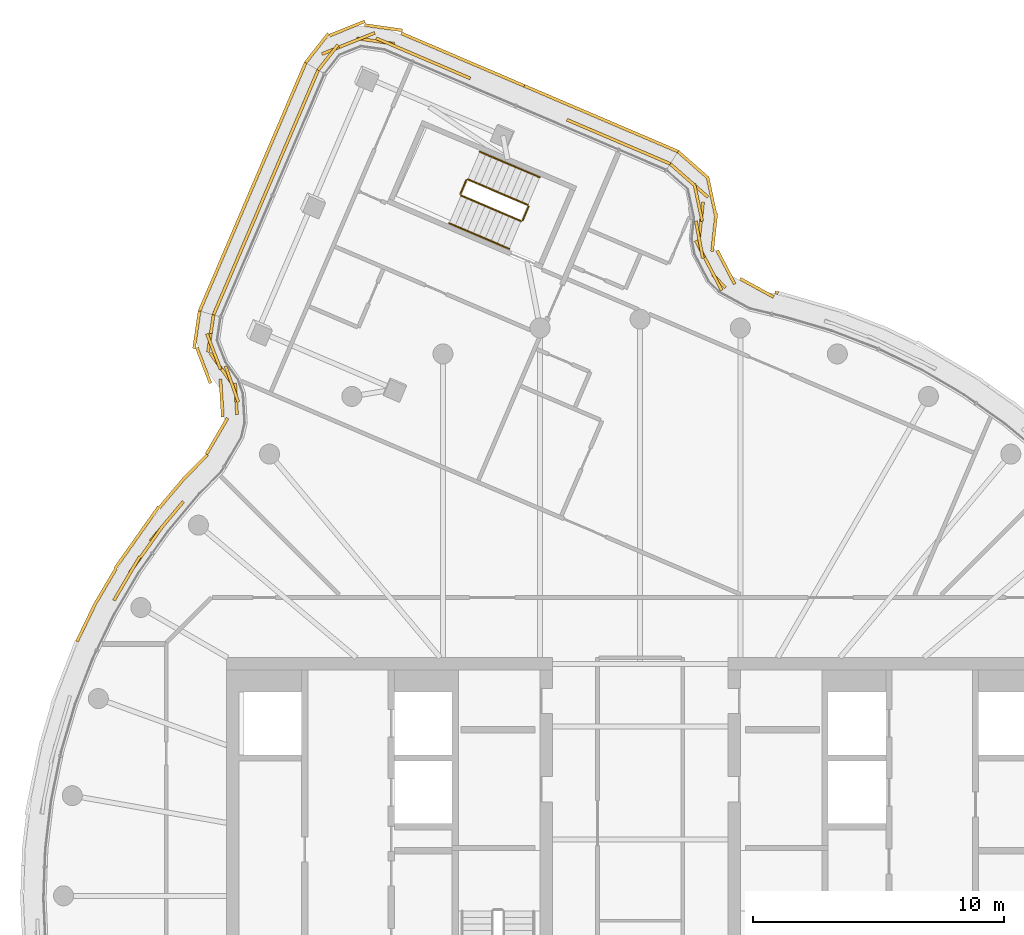
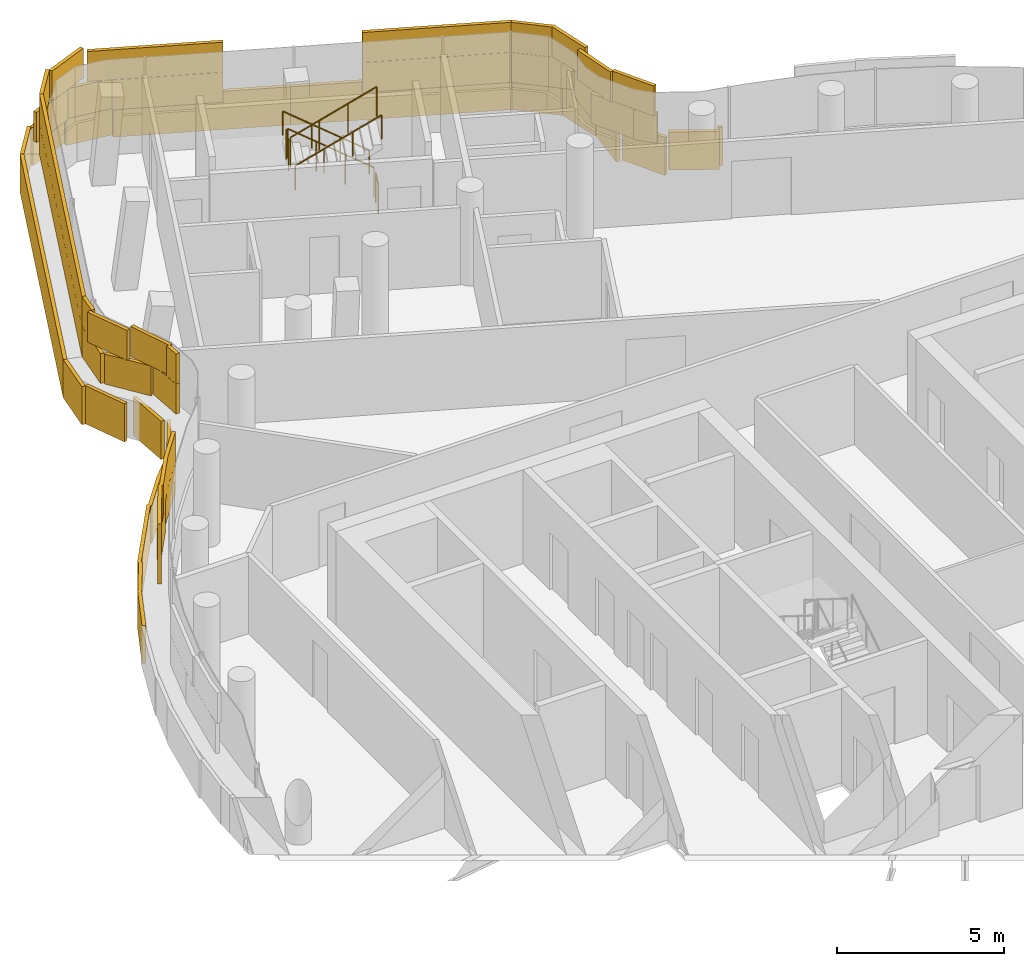
# One storey, part 18 of 20: 6 coverings, 6 railings.
"""IFC4 building model written with IfcOpenShell, lengths in metres."""

import ifcopenshell
import ifcopenshell.guid

model = None  # the IFC model being written
_history = None  # IfcOwnerHistory: only IFC2X3 demands one
_inside = {}  # id of a spatial element -> (the spatial element, [elements in it])
_under = {}  # id of a project, library or spatial element -> (it, [spatial elements below it])
_declared = {}  # id of a project -> (the project, [libraries it declares])
_typed = {}  # id of a type object -> (the type object, [elements of that type])
_made_of = {}  # id of a material, layer set ... -> (it, [elements and type objects made of it])


def new_model(schema):
    """Start an empty IFC model of exactly this schema.

    Asked for "IFC4X3", IfcOpenShell would pick the latest addendum, in which some entities
    have other attributes; the version numbers below select the first issue.
    IFC2X3 requires an IfcOwnerHistory on every rooted entity: one is made here for all.
    """
    global model, _history
    if schema == "IFC4X3":
        model = ifcopenshell.file(schema_version=(4, 3, 0, 0))
    else:
        model = ifcopenshell.file(schema=schema)
    _inside.clear()
    _under.clear()
    _declared.clear()
    _typed.clear()
    _made_of.clear()
    _history = None
    if model.schema == "IFC2X3":
        org = make("IfcOrganization", Name="unknown")
        user = make(
            "IfcPersonAndOrganization",
            ThePerson=make("IfcPerson", FamilyName="unknown"),
            TheOrganization=org,
        )
        app = make(
            "IfcApplication",
            ApplicationDeveloper=org,
            Version="unknown",
            ApplicationFullName="unknown",
            ApplicationIdentifier="unknown",
        )
        _history = make(
            "IfcOwnerHistory",
            OwningUser=user,
            OwningApplication=app,
            ChangeAction="ADDED",
            CreationDate=0,
        )
    return model


def make(cls, **values):
    """One entity of the class cls with the attributes given. An attribute that is None is left unset."""
    return model.create_entity(
        cls, **{name: value for name, value in values.items() if value is not None}
    )


def rooted(cls, **values):
    """An entity with a GlobalId (a new one), such as an element, a storey or a relation."""
    return make(cls, GlobalId=ifcopenshell.guid.new(), OwnerHistory=_history, **values)


def si_unit(unit_type, name, prefix=None):
    """IfcSIUnit, for example si_unit("LENGTHUNIT", "METRE", prefix="MILLI")."""
    return make("IfcSIUnit", UnitType=unit_type, Prefix=prefix, Name=name)


def assignment(units):
    """IfcUnitAssignment: the units of a project."""
    return None if units is None else make("IfcUnitAssignment", Units=units)


def point(xyz):
    """IfcCartesianPoint."""
    return None if xyz is None else make("IfcCartesianPoint", Coordinates=xyz)


def direction(xyz):
    """IfcDirection."""
    return None if xyz is None else make("IfcDirection", DirectionRatios=xyz)


def frame(location, z_axis=None, x_axis=None):
    """IfcAxis2Placement3D, a coordinate frame: its origin and axes. An axis left out is left unset."""
    return make(
        "IfcAxis2Placement3D",
        Location=point(location),
        Axis=direction(z_axis),
        RefDirection=direction(x_axis),
    )


def frame_2d(location, x_axis=None):
    """IfcAxis2Placement2D, a coordinate frame in the plane: its origin and x axis."""
    return make(
        "IfcAxis2Placement2D", Location=point(location), RefDirection=direction(x_axis)
    )


def origin():
    """The frame at (0, 0, 0) with its axes left unset."""
    return frame((0.0, 0.0, 0.0))


def origin_2d():
    """The frame at (0, 0) in the plane with its x axis left unset."""
    return frame_2d((0.0, 0.0))


def place(relative_to, where):
    """IfcLocalPlacement: puts the frame where relative to a parent placement (None: the world)."""
    return make(
        "IfcLocalPlacement", PlacementRelTo=relative_to, RelativePlacement=where
    )


def context(
    kind, dimensions, precision=None, world=None, true_north=None, identifier=None
):
    """IfcGeometricRepresentationContext, for example the 3D "Model" context."""
    return make(
        "IfcGeometricRepresentationContext",
        ContextIdentifier=identifier,
        ContextType=kind,
        CoordinateSpaceDimension=dimensions,
        Precision=precision,
        WorldCoordinateSystem=world,
        TrueNorth=true_north,
    )


def subcontext(parent, identifier, kind, view, scale=None):
    """IfcGeometricRepresentationSubContext, for example "Body" below "Model"."""
    return make(
        "IfcGeometricRepresentationSubContext",
        ContextIdentifier=identifier,
        ContextType=kind,
        ParentContext=parent,
        TargetScale=scale,
        TargetView=view,
    )


def project(units=None, contexts=None):
    """IfcProject with its units and contexts."""
    return rooted(
        "IfcProject",
        Name="project",
        RepresentationContexts=contexts,
        UnitsInContext=assignment(units),
    )


def spatial(cls, under=None, at=None, **own):
    """A site, building, storey or space (cls), placed at a placement, below another one or the project."""
    s = rooted(cls, ObjectPlacement=at, **own)
    if under is not None:
        _under.setdefault(under.id(), (under, []))[1].append(s)
    return s


def profile(cls, at=None, kind="AREA", **sizes):
    """A parametric profile (cls). Its sizes go by their IFC names, for example OverallWidth=200.0."""
    return make(cls, ProfileType=kind, Position=at, **sizes)


def rectangle(**sizes):
    """IfcRectangleProfileDef."""
    return profile("IfcRectangleProfileDef", **sizes)


def circle(**sizes):
    """IfcCircleProfileDef."""
    return profile("IfcCircleProfileDef", **sizes)


def extrude(swept, where, along, depth):
    """IfcExtrudedAreaSolid: the profile swept, set in the frame where, extruded along a direction by depth."""
    return make(
        "IfcExtrudedAreaSolid",
        SweptArea=swept,
        Position=where,
        ExtrudedDirection=direction(along),
        Depth=depth,
    )


def shape(context_of_items, identifier, shape_type, items):
    """IfcShapeRepresentation: the items that make up one representation, for example the "Body"."""
    return make(
        "IfcShapeRepresentation",
        ContextOfItems=context_of_items,
        RepresentationIdentifier=identifier,
        RepresentationType=shape_type,
        Items=items,
    )


def material(Name=None, Category=None):
    """IfcMaterial."""
    return make("IfcMaterial", Name=Name, Category=Category)


def layer(
    of_material, thickness, ventilated=None, Name=None, Category=None, Priority=None
):
    """IfcMaterialLayer: one layer of a wall or slab, of a material (None: an air gap)."""
    return make(
        "IfcMaterialLayer",
        Material=of_material,
        LayerThickness=thickness,
        IsVentilated=ventilated,
        Name=Name,
        Category=Category,
        Priority=Priority,
    )


def layer_set(layers, Name=None):
    """IfcMaterialLayerSet."""
    return make("IfcMaterialLayerSet", MaterialLayers=layers, LayerSetName=Name)


def made_of(thing, what):
    """Note that an element or type object is made of a material, layer set ...; save() writes the relation."""
    if what is not None:
        _made_of.setdefault(what.id(), (what, []))[1].append(thing)
    return thing


def type_object(cls, material=None, **own):
    """A type object (cls), such as IfcWallType, which elements share."""
    return made_of(rooted(cls, **own), material)


def element(
    cls,
    number,
    at=None,
    inside=None,
    cuts=None,
    type_object=None,
    material=None,
    context=None,
    identifier="Body",
    shape_type=None,
    held_by="IfcProductDefinitionShape",
    body=None,
    shapes=None,
    **own,
):
    """One element of the class cls, such as IfcWall. Its Tag is "e" and its number.

    at: its placement. inside: the storey or other place that contains it. cuts: it is an
    opening in that element (IfcRelVoidsElement). A single representation is given by context,
    identifier, shape_type and body (its items); several are given by shapes. held_by: the class
    of the entity that holds the representations. save() writes the other relations.
    """
    e = rooted(cls, Tag="e%d" % number, ObjectPlacement=at, **own)
    if body is not None:
        shapes = [shape(context, identifier, shape_type, body)]
    if shapes is not None:
        e.Representation = make(held_by, Representations=shapes)
    if inside is not None:
        _inside.setdefault(inside.id(), (inside, []))[1].append(e)
    if cuts is not None:
        rooted(
            "IfcRelVoidsElement", RelatingBuildingElement=cuts, RelatedOpeningElement=e
        )
    if type_object is not None:
        _typed.setdefault(type_object.id(), (type_object, []))[1].append(e)
    return made_of(e, material)


def aggregate(whole, parts):
    """IfcRelAggregates: a whole, such as a stair, and the parts it consists of."""
    return rooted("IfcRelAggregates", RelatingObject=whole, RelatedObjects=parts)


def save(model, path):
    """Write the relations noted so far, then the file.

    IfcRelAggregates (storeys below a building ...), IfcRelContainedInSpatialStructure (elements
    in a storey), IfcRelDefinesByType, IfcRelAssociatesMaterial and IfcRelDeclares: one each for
    every whole, place, type object, material and project.
    """
    for whole, parts in _under.values():
        aggregate(whole, parts)
    for where, things in _inside.values():
        rooted(
            "IfcRelContainedInSpatialStructure",
            RelatedElements=things,
            RelatingStructure=where,
        )
    for kind, things in _typed.values():
        rooted("IfcRelDefinesByType", RelatedObjects=things, RelatingType=kind)
    for what, things in _made_of.values():
        rooted("IfcRelAssociatesMaterial", RelatedObjects=things, RelatingMaterial=what)
    for by, libraries in _declared.values():
        rooted("IfcRelDeclares", RelatingContext=by, RelatedDefinitions=libraries)
    model.write(path)


model = new_model("IFC4")

# Units and contexts
model_context = context("Model", 3, precision=1e-05, world=origin(), true_north=direction((0.0, 1.0)))
body_context = subcontext(model_context, "Body", "Model", "MODEL_VIEW")
ifc_project = project(units=[si_unit("LENGTHUNIT", "METRE"), si_unit("AREAUNIT", "SQUARE_METRE"), si_unit("VOLUMEUNIT", "CUBIC_METRE"), si_unit("PLANEANGLEUNIT", "RADIAN"), si_unit("MASSUNIT", "GRAM", prefix="KILO")], contexts=[model_context])

# Site, building, storey
site_placement = place(None, origin())
site = spatial("IfcSite", under=ifc_project, at=site_placement, CompositionType="ELEMENT")
building_placement = place(site_placement, origin())
building = spatial("IfcBuilding", under=site, at=building_placement, Name="Tamarind Cross Interchange Tower", CompositionType="ELEMENT")
storey_placement = place(building_placement, frame((0.0, 0.0, 274.800048828125)))
storey = spatial("IfcBuildingStorey", under=building, at=storey_placement, Name="L70", CompositionType="ELEMENT", Elevation=274.800048828125)

# Railings
ifc_material_1 = material(Name="Stair guard")
railing_type_1 = type_object("IfcRailingType", Name="Stair guard", PredefinedType="GUARDRAIL", material=ifc_material_1)
railing_1_placement = place(storey_placement, frame((-4.477294921875, 27.5556640625, 0.16357421875)))
element("IfcRailing", 1, at=railing_1_placement, inside=storey, type_object=railing_type_1, Name="L70 ST4 stair guard 1", PredefinedType="GUARDRAIL", context=body_context, shape_type="SweptSolid", body=[
    extrude(circle(Radius=0.02392578125, at=origin_2d()), frame((0.0, 0.0, 1.076171875), z_axis=(-0.778286341023, 0.332484179175, 0.532658091064), x_axis=(-0.392853819215, -0.91960093341, 0.0)), (0.0, 0.0, 1.0), 3.072265625),
    extrude(circle(Radius=0.02099609375, at=origin_2d()), origin(), (0.0, 0.0, 1.0), 1.052001953125),
    extrude(circle(Radius=0.02099609375, at=origin_2d()), frame((-0.797119140625, 0.340576171875, 0.54541015625)), (0.0, 0.0, 1.0), 1.052001953125),
    extrude(circle(Radius=0.02099609375, at=origin_2d()), frame((-1.593994140625, 0.680908203125, 1.091064453125)), (0.0, 0.0, 1.0), 1.052001953125),
    extrude(circle(Radius=0.02099609375, at=origin_2d()), frame((-2.39111328125, 1.021484375, 1.636474609375)), (0.0, 0.0, 1.0), 1.052001953125),
])
railing_2_placement = place(storey_placement, frame((-6.933837890625, 28.55078125, 1.800048828125)))
element("IfcRailing", 2, at=railing_2_placement, inside=storey, type_object=railing_type_1, Name="L70 ST4 stair guard 2", PredefinedType="GUARDRAIL", context=body_context, shape_type="SweptSolid", body=[
    extrude(circle(Radius=0.02392578125, at=origin_2d()), frame((0.0, 0.0, 1.076171875), z_axis=(-0.393035229118, -0.919523413879, 0.0), x_axis=(0.919523413879, -0.393035229118, 0.0)), (0.0, 0.0, 1.0), 0.60009765625),
    extrude(circle(Radius=0.02099609375, at=origin_2d()), origin(), (0.0, 0.0, 1.0), 1.052001953125),
    extrude(circle(Radius=0.02099609375, at=origin_2d()), frame((-0.23583984375, -0.5517578125, 0.0)), (0.0, 0.0, 1.0), 1.052001953125),
])
railing_3_placement = place(storey_placement, frame((-7.143310546875, 27.933349609375, 1.963623046875)))
element("IfcRailing", 3, at=railing_3_placement, inside=storey, type_object=railing_type_1, Name="L70 ST4 stair guard 3", PredefinedType="GUARDRAIL", context=body_context, shape_type="SweptSolid", body=[
    extrude(circle(Radius=0.02392578125, at=origin_2d()), frame((0.0, 0.0, 1.076171875), z_axis=(0.778287952868, -0.332518819034, 0.532634112133), x_axis=(0.392887742958, 0.919586440436, 0.0)), (0.0, 0.0, 1.0), 3.072021484375),
    extrude(circle(Radius=0.02099609375, at=origin_2d()), origin(), (0.0, 0.0, 1.0), 1.052001953125),
    extrude(circle(Radius=0.02099609375, at=origin_2d()), frame((0.796875, -0.340576171875, 0.54541015625)), (0.0, 0.0, 1.0), 1.052001953125),
    extrude(circle(Radius=0.02099609375, at=origin_2d()), frame((1.593994140625, -0.680908203125, 1.0908203125)), (0.0, 0.0, 1.0), 1.052001953125),
    extrude(circle(Radius=0.02099609375, at=origin_2d()), frame((2.390869140625, -1.021484375, 1.63623046875)), (0.0, 0.0, 1.0), 1.052001953125),
])
railing_4_placement = place(storey_placement, frame((-4.450927734375, 27.489990234375, 0.0)))
element("IfcRailing", 4, at=railing_4_placement, inside=storey, type_object=railing_type_1, Name="L70 ST4 stair guard 4", PredefinedType="GUARDRAIL", context=body_context, shape_type="SweptSolid", body=[
    extrude(circle(Radius=0.02392578125, at=origin_2d()), frame((0.0, 0.0, 1.076171875), z_axis=(-0.393035229118, -0.919523413879, 0.0), x_axis=(0.919523413879, -0.393035229118, 0.0)), (0.0, 0.0, 1.0), 0.60009765625),
    extrude(circle(Radius=0.02099609375, at=origin_2d()), origin(), (0.0, 0.0, 1.0), 1.052001953125),
    extrude(circle(Radius=0.02099609375, at=origin_2d()), frame((-0.23583984375, -0.5517578125, 0.0)), (0.0, 0.0, 1.0), 1.052001953125),
])
ifc_material_2 = material(Name="Stair handrail")
railing_type_2 = type_object("IfcRailingType", Name="Stair handrail", PredefinedType="HANDRAIL", material=ifc_material_2)
railing_5_placement = place(storey_placement, frame((-4.005859375, 28.6591796875, 0.16357421875)))
element("IfcRailing", 5, at=railing_5_placement, inside=storey, type_object=railing_type_2, Name="L70 ST4 stair handrail 1", PredefinedType="HANDRAIL", context=body_context, shape_type="SweptSolid", body=[
    extrude(circle(Radius=0.02392578125, at=origin_2d()), frame((0.0, 0.0, 0.8759765625), z_axis=(-0.778286341023, 0.332484179175, 0.532658091064), x_axis=(-0.392853819215, -0.91960093341, 0.0)), (0.0, 0.0, 1.0), 3.072265625),
    extrude(circle(Radius=0.02099609375, at=origin_2d()), origin(), (0.0, 0.0, 1.0), 0.851806640625),
    extrude(circle(Radius=0.02099609375, at=origin_2d()), frame((-0.797119140625, 0.340576171875, 0.54541015625)), (0.0, 0.0, 1.0), 0.851806640625),
    extrude(circle(Radius=0.02099609375, at=origin_2d()), frame((-1.593994140625, 0.680908203125, 1.091064453125)), (0.0, 0.0, 1.0), 0.851806640625),
    extrude(circle(Radius=0.02099609375, at=origin_2d()), frame((-2.39111328125, 1.021484375, 1.636474609375)), (0.0, 0.0, 1.0), 0.851806640625),
])
railing_6_placement = place(storey_placement, frame((-7.61474609375, 26.829833984375, 1.963623046875)))
element("IfcRailing", 6, at=railing_6_placement, inside=storey, type_object=railing_type_2, Name="L70 ST4 stair handrail 2", PredefinedType="HANDRAIL", context=body_context, shape_type="SweptSolid", body=[
    extrude(circle(Radius=0.02392578125, at=origin_2d()), frame((0.0, 0.0, 0.8759765625), z_axis=(0.778287952868, -0.332518819034, 0.532634112133), x_axis=(0.392887742958, 0.919586440436, 0.0)), (0.0, 0.0, 1.0), 3.072021484375),
    extrude(circle(Radius=0.02099609375, at=origin_2d()), origin(), (0.0, 0.0, 1.0), 0.851806640625),
    extrude(circle(Radius=0.02099609375, at=origin_2d()), frame((0.796875, -0.340576171875, 0.54541015625)), (0.0, 0.0, 1.0), 0.851806640625),
    extrude(circle(Radius=0.02099609375, at=origin_2d()), frame((1.593994140625, -0.680908203125, 1.0908203125)), (0.0, 0.0, 1.0), 0.851806640625),
    extrude(circle(Radius=0.02099609375, at=origin_2d()), frame((2.390869140625, -1.021484375, 1.63623046875)), (0.0, 0.0, 1.0), 0.851806640625),
])

# Coverings
ifc_material_3 = material(Name="Terracotta", Category="masonry")
ifc_layer = layer(ifc_material_3, 0.1201171875)
ifc_layer_set = layer_set([ifc_layer], Name="Terracotta")
covering_type = type_object("IfcCoveringType", Name="Terracotta baguette screen unit", PredefinedType="MOLDING", material=ifc_layer_set)
covering_1_placement = place(storey_placement, origin())
element("IfcCovering", 7, at=covering_1_placement, inside=storey, type_object=covering_type, Name="SCR-L70-00-00", PredefinedType="MOLDING", context=body_context, shape_type="SweptSolid", body=[
    extrude(rectangle(XDim=1.510009765625, YDim=0.1201171875, at=origin_2d()), frame((-13.139404296875, 32.247802734375, 1.40380859375), z_axis=(0.0, 0.0, 1.0), x_axis=(-0.392863620655, -0.91959674617, 0.0)), (0.0, 0.0, 1.0), 1.092041015625),
    extrude(rectangle(XDim=1.52001953125, YDim=0.1201171875, at=origin_2d()), frame((-13.728515625, 30.868408203125, 1.40380859375), z_axis=(0.0, 0.0, 1.0), x_axis=(-0.392863620655, -0.91959674617, 0.0)), (0.0, 0.0, 1.0), 1.092041015625),
    extrude(rectangle(XDim=1.52001953125, YDim=0.1201171875, at=origin_2d()), frame((-14.31787109375, 29.489013671875, 1.40380859375), z_axis=(0.0, 0.0, 1.0), x_axis=(-0.392863620655, -0.91959674617, 0.0)), (0.0, 0.0, 1.0), 1.092041015625),
    extrude(rectangle(XDim=1.52001953125, YDim=0.1201171875, at=origin_2d()), frame((-14.9072265625, 28.109619140625, 1.40380859375), z_axis=(0.0, 0.0, 1.0), x_axis=(-0.392863620655, -0.91959674617, 0.0)), (0.0, 0.0, 1.0), 1.092041015625),
    extrude(rectangle(XDim=1.52001953125, YDim=0.1201171875, at=origin_2d()), frame((-15.49658203125, 26.730224609375, 1.40380859375), z_axis=(0.0, 0.0, 1.0), x_axis=(-0.392863620655, -0.91959674617, 0.0)), (0.0, 0.0, 1.0), 1.092041015625),
    extrude(rectangle(XDim=1.52001953125, YDim=0.1201171875, at=origin_2d()), frame((-16.085693359375, 25.350830078125, 1.40380859375), z_axis=(0.0, 0.0, 1.0), x_axis=(-0.392863620655, -0.91959674617, 0.0)), (0.0, 0.0, 1.0), 1.092041015625),
    extrude(rectangle(XDim=1.52001953125, YDim=0.1201171875, at=origin_2d()), frame((-16.675048828125, 23.971435546875, 1.40380859375), z_axis=(0.0, 0.0, 1.0), x_axis=(-0.392863620655, -0.91959674617, 0.0)), (0.0, 0.0, 1.0), 1.092041015625),
    extrude(rectangle(XDim=0.13037109375, YDim=0.1201171875, at=origin_2d()), frame((-16.993408203125, 23.226318359375, 1.40380859375), z_axis=(0.0, 0.0, 1.0), x_axis=(-0.392863620655, -0.91959674617, 0.0)), (0.0, 0.0, 1.0), 1.092041015625),
    extrude(rectangle(XDim=0.760009765625, YDim=0.1201171875, at=origin_2d()), frame((-12.991943359375, 32.592529296875, 2.50390625), z_axis=(0.0, 0.0, 1.0), x_axis=(-0.392863620655, -0.91959674617, 0.0)), (0.0, 0.0, 1.0), 1.092041015625),
    extrude(rectangle(XDim=1.52001953125, YDim=0.1201171875, at=origin_2d()), frame((-13.433837890625, 31.55810546875, 2.50390625), z_axis=(0.0, 0.0, 1.0), x_axis=(-0.392863620655, -0.91959674617, 0.0)), (0.0, 0.0, 1.0), 1.092041015625),
    extrude(rectangle(XDim=1.52001953125, YDim=0.1201171875, at=origin_2d()), frame((-14.023193359375, 30.1787109375, 2.50390625), z_axis=(0.0, 0.0, 1.0), x_axis=(-0.392863620655, -0.91959674617, 0.0)), (0.0, 0.0, 1.0), 1.092041015625),
    extrude(rectangle(XDim=1.52001953125, YDim=0.1201171875, at=origin_2d()), frame((-14.612548828125, 28.79931640625, 2.50390625), z_axis=(0.0, 0.0, 1.0), x_axis=(-0.392863620655, -0.91959674617, 0.0)), (0.0, 0.0, 1.0), 1.092041015625),
    extrude(rectangle(XDim=1.52001953125, YDim=0.1201171875, at=origin_2d()), frame((-15.201904296875, 27.419921875, 2.50390625), z_axis=(0.0, 0.0, 1.0), x_axis=(-0.392863620655, -0.91959674617, 0.0)), (0.0, 0.0, 1.0), 1.092041015625),
    extrude(rectangle(XDim=1.52001953125, YDim=0.1201171875, at=origin_2d()), frame((-15.791015625, 26.04052734375, 2.50390625), z_axis=(0.0, 0.0, 1.0), x_axis=(-0.392863620655, -0.91959674617, 0.0)), (0.0, 0.0, 1.0), 1.092041015625),
    extrude(rectangle(XDim=1.52001953125, YDim=0.1201171875, at=origin_2d()), frame((-16.38037109375, 24.6611328125, 2.50390625), z_axis=(0.0, 0.0, 1.0), x_axis=(-0.392863620655, -0.91959674617, 0.0)), (0.0, 0.0, 1.0), 1.092041015625),
    extrude(rectangle(XDim=0.88037109375, YDim=0.1201171875, at=origin_2d()), frame((-16.845947265625, 23.5712890625, 2.50390625), z_axis=(0.0, 0.0, 1.0), x_axis=(-0.392863620655, -0.91959674617, 0.0)), (0.0, 0.0, 1.0), 1.092041015625),
    extrude(rectangle(XDim=1.510009765625, YDim=0.1201171875, at=origin_2d()), frame((-13.639404296875, 32.5380859375, 0.00390625), z_axis=(0.0, 0.0, 1.0), x_axis=(-0.392863620655, -0.91959674617, 0.0)), (0.0, 0.0, 1.0), 1.39208984375),
    extrude(rectangle(XDim=1.52001953125, YDim=0.1201171875, at=origin_2d()), frame((-14.226806640625, 31.163330078125, 0.00390625), z_axis=(0.0, 0.0, 1.0), x_axis=(-0.392863620655, -0.91959674617, 0.0)), (0.0, 0.0, 1.0), 1.39208984375),
    extrude(rectangle(XDim=1.52001953125, YDim=0.1201171875, at=origin_2d()), frame((-14.816162109375, 29.783935546875, 0.00390625), z_axis=(0.0, 0.0, 1.0), x_axis=(-0.392863620655, -0.91959674617, 0.0)), (0.0, 0.0, 1.0), 1.39208984375),
    extrude(rectangle(XDim=1.52001953125, YDim=0.1201171875, at=origin_2d()), frame((-15.4052734375, 28.404541015625, 0.00390625), z_axis=(0.0, 0.0, 1.0), x_axis=(-0.392863620655, -0.91959674617, 0.0)), (0.0, 0.0, 1.0), 1.39208984375),
    extrude(rectangle(XDim=1.52001953125, YDim=0.1201171875, at=origin_2d()), frame((-15.99462890625, 27.025146484375, 0.00390625), z_axis=(0.0, 0.0, 1.0), x_axis=(-0.392863620655, -0.91959674617, 0.0)), (0.0, 0.0, 1.0), 1.39208984375),
    extrude(rectangle(XDim=1.52001953125, YDim=0.1201171875, at=origin_2d()), frame((-16.583984375, 25.645751953125, 0.00390625), z_axis=(0.0, 0.0, 1.0), x_axis=(-0.392863620655, -0.91959674617, 0.0)), (0.0, 0.0, 1.0), 1.39208984375),
    extrude(rectangle(XDim=1.52001953125, YDim=0.1201171875, at=origin_2d()), frame((-17.17333984375, 24.266357421875, 0.00390625), z_axis=(0.0, 0.0, 1.0), x_axis=(-0.392863620655, -0.91959674617, 0.0)), (0.0, 0.0, 1.0), 1.39208984375),
    extrude(rectangle(XDim=0.280029296875, YDim=0.1201171875, at=origin_2d()), frame((-17.51904296875, 23.45703125, 0.00390625), z_axis=(0.0, 0.0, 1.0), x_axis=(-0.392863620655, -0.91959674617, 0.0)), (0.0, 0.0, 1.0), 1.39208984375),
])
covering_2_placement = place(storey_placement, origin())
element("IfcCovering", 8, at=covering_2_placement, inside=storey, type_object=covering_type, Name="SCR-L70-01-00", PredefinedType="MOLDING", context=body_context, shape_type="SweptSolid", body=[
    extrude(rectangle(XDim=1.510009765625, YDim=0.1201171875, at=origin_2d()), frame((-17.126708984375, 22.42919921875, 1.40380859375), z_axis=(0.0, 0.0, 1.0), x_axis=(-0.146409924633, -0.989224005961, 0.0)), (0.0, 0.0, 1.0), 1.092041015625),
    extrude(rectangle(XDim=1.52001953125, YDim=0.1201171875, at=origin_2d()), frame((-16.7080078125, 21.030029296875, 1.40380859375), z_axis=(0.0, 0.0, 1.0), x_axis=(0.583862432399, -0.811852609796, 0.0)), (0.0, 0.0, 1.0), 1.092041015625),
    extrude(rectangle(XDim=1.256591796875, YDim=0.1201171875, at=origin_2d()), frame((-16.118408203125, 19.81787109375, 1.40380859375), z_axis=(0.0, 0.0, 1.0), x_axis=(0.059891761755, -0.998204877204, 0.0)), (0.0, 0.0, 1.0), 1.092041015625),
    extrude(rectangle(XDim=0.760009765625, YDim=0.1201171875, at=origin_2d()), frame((-17.072021484375, 22.800048828125, 2.50390625), z_axis=(0.0, 0.0, 1.0), x_axis=(-0.146409924633, -0.989224005961, 0.0)), (0.0, 0.0, 1.0), 1.092041015625),
    extrude(rectangle(XDim=1.52001953125, YDim=0.1201171875, at=origin_2d()), frame((-17.010009765625, 21.712158203125, 2.50390625), z_axis=(0.0, 0.0, 1.0), x_axis=(0.358511332978, -0.93352537412, 0.0)), (0.0, 0.0, 1.0), 1.092041015625),
    extrude(rectangle(XDim=1.52001953125, YDim=0.1201171875, at=origin_2d()), frame((-16.28369140625, 20.413818359375, 2.50390625), z_axis=(0.0, 0.0, 1.0), x_axis=(0.335092013496, -0.942185407704, 0.0)), (0.0, 0.0, 1.0), 1.092041015625),
    extrude(rectangle(XDim=0.506591796875, YDim=0.1201171875, at=origin_2d()), frame((-16.095947265625, 19.443359375, 2.50390625), z_axis=(0.0, 0.0, 1.0), x_axis=(0.059891761755, -0.998204877204, 0.0)), (0.0, 0.0, 1.0), 1.092041015625),
    extrude(rectangle(XDim=1.510009765625, YDim=0.1201171875, at=origin_2d()), frame((-17.6845703125, 22.58154296875, 0.00390625), z_axis=(0.0, 0.0, 1.0), x_axis=(-0.146409924633, -0.989224005961, 0.0)), (0.0, 0.0, 1.0), 1.39208984375),
    extrude(rectangle(XDim=1.52001953125, YDim=0.1201171875, at=origin_2d()), frame((-17.41162109375, 21.15673828125, 0.00390625), z_axis=(0.0, 0.0, 1.0), x_axis=(0.358511332978, -0.93352537412, 0.0)), (0.0, 0.0, 1.0), 1.39208984375),
    extrude(rectangle(XDim=1.52001953125, YDim=0.1201171875, at=origin_2d()), frame((-16.69580078125, 19.854736328125, 0.00390625), z_axis=(0.0, 0.0, 1.0), x_axis=(0.059891761755, -0.998204877204, 0.0)), (0.0, 0.0, 1.0), 1.39208984375),
    extrude(rectangle(XDim=1.52001953125, YDim=0.1201171875, at=origin_2d()), frame((-16.841796875, 18.3984375, 0.00390625), z_axis=(0.0, 0.0, 1.0), x_axis=(-0.505040256144, -0.863095788238, 0.0)), (0.0, 0.0, 1.0), 1.39208984375),
    extrude(rectangle(XDim=0.164306640625, YDim=0.1201171875, at=origin_2d()), frame((-17.257080078125, 17.688720703125, 0.00390625), z_axis=(0.0, 0.0, 1.0), x_axis=(-0.505040256144, -0.863095788238, 0.0)), (0.0, 0.0, 1.0), 1.39208984375),
])
covering_3_placement = place(storey_placement, origin())
element("IfcCovering", 9, at=covering_3_placement, inside=storey, type_object=covering_type, Name="SCR-L70-01-01", PredefinedType="MOLDING", context=body_context, shape_type="SweptSolid", body=[
    extrude(rectangle(XDim=0.5634765625, YDim=0.1201171875, at=origin_2d()), frame((-18.400146484375, 15.5107421875, 1.40380859375), z_axis=(0.0, 0.0, 1.0), x_axis=(-0.643009266048, -0.765858396687, 0.0)), (0.0, 0.0, 1.0), 1.092041015625),
    extrude(rectangle(XDim=1.52001953125, YDim=0.1201171875, at=origin_2d()), frame((-19.060302734375, 14.724365234375, 1.40380859375), z_axis=(0.0, 0.0, 1.0), x_axis=(-0.643009266048, -0.765858396687, 0.0)), (0.0, 0.0, 1.0), 1.092041015625),
    extrude(rectangle(XDim=1.52001953125, YDim=0.1201171875, at=origin_2d()), frame((-19.927734375, 13.500732421875, 1.40380859375), z_axis=(0.0, 0.0, 1.0), x_axis=(-0.577568978284, -0.816341886298, 0.0)), (0.0, 0.0, 1.0), 1.092041015625),
    extrude(rectangle(XDim=1.28076171875, YDim=0.1201171875, at=origin_2d()), frame((-20.6669921875, 12.330322265625, 1.40380859375), z_axis=(0.0, 0.0, 1.0), x_axis=(-0.508183308752, -0.861248933065, 0.0)), (0.0, 0.0, 1.0), 1.092041015625),
    extrude(rectangle(XDim=1.3134765625, YDim=0.1201171875, at=origin_2d()), frame((-18.641357421875, 15.223388671875, 2.50390625), z_axis=(0.0, 0.0, 1.0), x_axis=(-0.643009266048, -0.765858396687, 0.0)), (0.0, 0.0, 1.0), 1.092041015625),
    extrude(rectangle(XDim=1.52001953125, YDim=0.1201171875, at=origin_2d()), frame((-19.49462890625, 14.11279296875, 2.50390625), z_axis=(0.0, 0.0, 1.0), x_axis=(-0.577568978284, -0.816341886298, 0.0)), (0.0, 0.0, 1.0), 1.092041015625),
    extrude(rectangle(XDim=1.52001953125, YDim=0.1201171875, at=origin_2d()), frame((-20.34423828125, 12.87744140625, 2.50390625), z_axis=(0.0, 0.0, 1.0), x_axis=(-0.508183308752, -0.861248933065, 0.0)), (0.0, 0.0, 1.0), 1.092041015625),
    extrude(rectangle(XDim=0.53076171875, YDim=0.1201171875, at=origin_2d()), frame((-20.857666015625, 12.00732421875, 2.50390625), z_axis=(0.0, 0.0, 1.0), x_axis=(-0.508183308752, -0.861248933065, 0.0)), (0.0, 0.0, 1.0), 1.092041015625),
    extrude(rectangle(XDim=1.355712890625, YDim=0.1201171875, at=origin_2d()), frame((-17.738037109375, 17.107421875, 0.00390625), z_axis=(0.0, 0.0, 1.0), x_axis=(-0.702180447502, -0.711999030298, 0.0)), (0.0, 0.0, 1.0), 1.39208984375),
    extrude(rectangle(XDim=1.52001953125, YDim=0.1201171875, at=origin_2d()), frame((-18.68994140625, 16.05810546875, 0.00390625), z_axis=(0.0, 0.0, 1.0), x_axis=(-0.643009266048, -0.765858396687, 0.0)), (0.0, 0.0, 1.0), 1.39208984375),
    extrude(rectangle(XDim=1.52001953125, YDim=0.1201171875, at=origin_2d()), frame((-19.641357421875, 14.899169921875, 0.00390625), z_axis=(0.0, 0.0, 1.0), x_axis=(-0.577568978284, -0.816341886298, 0.0)), (0.0, 0.0, 1.0), 1.39208984375),
    extrude(rectangle(XDim=1.52001953125, YDim=0.1201171875, at=origin_2d()), frame((-20.5078125, 13.6748046875, 0.00390625), z_axis=(0.0, 0.0, 1.0), x_axis=(-0.577568978284, -0.816341886298, 0.0)), (0.0, 0.0, 1.0), 1.39208984375),
    extrude(rectangle(XDim=1.52001953125, YDim=0.1201171875, at=origin_2d()), frame((-21.29345703125, 12.39794921875, 0.00390625), z_axis=(0.0, 0.0, 1.0), x_axis=(-0.508183308752, -0.861248933065, 0.0)), (0.0, 0.0, 1.0), 1.39208984375),
    extrude(rectangle(XDim=1.52001953125, YDim=0.1201171875, at=origin_2d()), frame((-22.01025390625, 11.081787109375, 0.00390625), z_axis=(0.0, 0.0, 1.0), x_axis=(-0.435326231914, -0.900272776334, 0.0)), (0.0, 0.0, 1.0), 1.39208984375),
    extrude(rectangle(XDim=0.2978515625, YDim=0.1201171875, at=origin_2d()), frame((-22.397216796875, 10.281494140625, 0.00390625), z_axis=(0.0, 0.0, 1.0), x_axis=(-0.435326231914, -0.900272776334, 0.0)), (0.0, 0.0, 1.0), 1.39208984375),
])
covering_4_placement = place(storey_placement, origin())
element("IfcCovering", 10, at=covering_4_placement, inside=storey, type_object=covering_type, Name="SCR-L70-01-15", PredefinedType="MOLDING", context=body_context, shape_type="SweptSolid", body=[
    extrude(rectangle(XDim=0.730712890625, YDim=0.1201171875, at=origin_2d()), frame((3.145263671875, 24.519287109375, 1.40380859375), z_axis=(0.0, 0.0, 1.0), x_axis=(-0.699592630568, 0.714541917073, 0.0)), (0.0, 0.0, 1.0), 1.092041015625),
    extrude(rectangle(XDim=1.52001953125, YDim=0.1201171875, at=origin_2d()), frame((2.572509765625, 25.460693359375, 1.40380859375), z_axis=(0.0, 0.0, 1.0), x_axis=(-0.461942851222, 0.886909692249, 0.0)), (0.0, 0.0, 1.0), 1.092041015625),
    extrude(rectangle(XDim=1.52001953125, YDim=0.1201171875, at=origin_2d()), frame((2.427001953125, 26.91748046875, 1.40380859375), z_axis=(0.0, 0.0, 1.0), x_axis=(0.108884528771, 0.994054404645, 0.0)), (0.0, 0.0, 1.0), 1.092041015625),
    extrude(rectangle(XDim=1.52001953125, YDim=0.1201171875, at=origin_2d()), frame((2.1357421875, 28.371337890625, 1.40380859375), z_axis=(0.0, 0.0, 1.0), x_axis=(-0.749968457013, 0.661473592433, 0.0)), (0.0, 0.0, 1.0), 1.092041015625),
    extrude(rectangle(XDim=0.509521484375, YDim=0.1201171875, at=origin_2d()), frame((1.385986328125, 29.032470703125, 1.40380859375), z_axis=(0.0, 0.0, 1.0), x_axis=(-0.749968457013, 0.661473592433, 0.0)), (0.0, 0.0, 1.0), 1.092041015625),
    extrude(rectangle(XDim=1.480712890625, YDim=0.1201171875, at=origin_2d()), frame((2.912353515625, 24.80859375, 2.50390625), z_axis=(0.0, 0.0, 1.0), x_axis=(-0.461942851222, 0.886909692249, 0.0)), (0.0, 0.0, 1.0), 1.092041015625),
    extrude(rectangle(XDim=1.52001953125, YDim=0.1201171875, at=origin_2d()), frame((2.361328125, 26.172607421875, 2.50390625), z_axis=(0.0, 0.0, 1.0), x_axis=(-0.184479110231, 0.982836434962, 0.0)), (0.0, 0.0, 1.0), 1.092041015625),
    extrude(rectangle(XDim=1.52001953125, YDim=0.1201171875, at=origin_2d()), frame((2.31884765625, 27.6533203125, 2.50390625), z_axis=(0.0, 0.0, 1.0), x_axis=(-0.208398843014, 0.978043926534, 0.0)), (0.0, 0.0, 1.0), 1.092041015625),
    extrude(rectangle(XDim=1.259521484375, YDim=0.1201171875, at=origin_2d()), frame((1.667236328125, 28.784423828125, 2.50390625), z_axis=(0.0, 0.0, 1.0), x_axis=(-0.749968457013, 0.661473592433, 0.0)), (0.0, 0.0, 1.0), 1.092041015625),
    extrude(rectangle(XDim=0.135498046875, YDim=0.1201171875, at=origin_2d()), frame((5.4404296875, 24.0546875, 0.00390625), z_axis=(0.0, 0.0, 1.0), x_axis=(-0.971966491684, 0.235119414432, 0.0)), (0.0, 0.0, 1.0), 1.39208984375),
    extrude(rectangle(XDim=1.52001953125, YDim=0.1201171875, at=origin_2d()), frame((4.6572265625, 24.2490234375, 0.00390625), z_axis=(0.0, 0.0, 1.0), x_axis=(-0.876945873011, 0.480589154902, 0.0)), (0.0, 0.0, 1.0), 1.39208984375),
    extrude(rectangle(XDim=1.52001953125, YDim=0.1201171875, at=origin_2d()), frame((3.422607421875, 25.071533203125, 0.00390625), z_axis=(0.0, 0.0, 1.0), x_axis=(-0.461942851222, 0.886909692249, 0.0)), (0.0, 0.0, 1.0), 1.39208984375),
    extrude(rectangle(XDim=1.52001953125, YDim=0.1201171875, at=origin_2d()), frame((2.954345703125, 26.460205078125, 0.00390625), z_axis=(0.0, 0.0, 1.0), x_axis=(0.108884528771, 0.994054404645, 0.0)), (0.0, 0.0, 1.0), 1.39208984375),
    extrude(rectangle(XDim=1.52001953125, YDim=0.1201171875, at=origin_2d()), frame((2.84521484375, 27.9375, 0.00390625), z_axis=(0.0, 0.0, 1.0), x_axis=(-0.208398843014, 0.978043926534, 0.0)), (0.0, 0.0, 1.0), 1.39208984375),
    extrude(rectangle(XDim=1.52001953125, YDim=0.1201171875, at=origin_2d()), frame((2.111328125, 29.158447265625, 0.00390625), z_axis=(0.0, 0.0, 1.0), x_axis=(-0.749968457013, 0.661473592433, 0.0)), (0.0, 0.0, 1.0), 1.39208984375),
    extrude(rectangle(XDim=0.062744140625, YDim=0.1201171875, at=origin_2d()), frame((1.53271484375, 29.66845703125, 0.00390625), z_axis=(0.0, 0.0, 1.0), x_axis=(-0.749968457013, 0.661473592433, 0.0)), (0.0, 0.0, 1.0), 1.39208984375),
])
covering_5_placement = place(storey_placement, origin())
element("IfcCovering", 11, at=covering_5_placement, inside=storey, type_object=covering_type, Name="SCR-L70-02-00", PredefinedType="MOLDING", context=body_context, shape_type="SweptSolid", body=[
    extrude(rectangle(XDim=1.510009765625, YDim=0.1201171875, at=origin_2d()), frame((0.509033203125, 29.492431640625, 1.40380859375), z_axis=(0.0, 0.0, 1.0), x_axis=(-0.91959674617, 0.392863620655, 0.0)), (0.0, 0.0, 1.0), 1.092041015625),
    extrude(rectangle(XDim=1.52001953125, YDim=0.1201171875, at=origin_2d()), frame((-0.870361328125, 30.081787109375, 1.40380859375), z_axis=(0.0, 0.0, 1.0), x_axis=(-0.91959674617, 0.392863620655, 0.0)), (0.0, 0.0, 1.0), 1.092041015625),
    extrude(rectangle(XDim=1.484375, YDim=0.1201171875, at=origin_2d()), frame((-2.23779296875, 30.666015625, 1.40380859375), z_axis=(0.0, 0.0, 1.0), x_axis=(-0.91959674617, 0.392863620655, 0.0)), (0.0, 0.0, 1.0), 1.092041015625),
    extrude(rectangle(XDim=0.760009765625, YDim=0.1201171875, at=origin_2d()), frame((0.85400390625, 29.344970703125, 2.50390625), z_axis=(0.0, 0.0, 1.0), x_axis=(-0.91959674617, 0.392863620655, 0.0)), (0.0, 0.0, 1.0), 1.092041015625),
    extrude(rectangle(XDim=1.52001953125, YDim=0.1201171875, at=origin_2d()), frame((-0.1806640625, 29.787109375, 2.50390625), z_axis=(0.0, 0.0, 1.0), x_axis=(-0.91959674617, 0.392863620655, 0.0)), (0.0, 0.0, 1.0), 1.092041015625),
    extrude(rectangle(XDim=1.52001953125, YDim=0.1201171875, at=origin_2d()), frame((-1.56005859375, 30.37646484375, 2.50390625), z_axis=(0.0, 0.0, 1.0), x_axis=(-0.91959674617, 0.392863620655, 0.0)), (0.0, 0.0, 1.0), 1.092041015625),
    extrude(rectangle(XDim=0.734375, YDim=0.1201171875, at=origin_2d()), frame((-2.582763671875, 30.813232421875, 2.50390625), z_axis=(0.0, 0.0, 1.0), x_axis=(-0.91959674617, 0.392863620655, 0.0)), (0.0, 0.0, 1.0), 1.092041015625),
    extrude(rectangle(XDim=1.510009765625, YDim=0.1201171875, at=origin_2d()), frame((0.81494140625, 29.98583984375, 0.00390625), z_axis=(0.0, 0.0, 1.0), x_axis=(-0.91959674617, 0.392863620655, 0.0)), (0.0, 0.0, 1.0), 1.39208984375),
    extrude(rectangle(XDim=1.52001953125, YDim=0.1201171875, at=origin_2d()), frame((-0.559814453125, 30.5732421875, 0.00390625), z_axis=(0.0, 0.0, 1.0), x_axis=(-0.91959674617, 0.392863620655, 0.0)), (0.0, 0.0, 1.0), 1.39208984375),
    extrude(rectangle(XDim=1.52001953125, YDim=0.1201171875, at=origin_2d()), frame((-1.939208984375, 31.16259765625, 0.00390625), z_axis=(0.0, 0.0, 1.0), x_axis=(-0.91959674617, 0.392863620655, 0.0)), (0.0, 0.0, 1.0), 1.39208984375),
    extrude(rectangle(XDim=1.52001953125, YDim=0.1201171875, at=origin_2d()), frame((-3.318603515625, 31.751953125, 0.00390625), z_axis=(0.0, 0.0, 1.0), x_axis=(-0.91959674617, 0.392863620655, 0.0)), (0.0, 0.0, 1.0), 1.39208984375),
    extrude(rectangle(XDim=0.674072265625, YDim=0.1201171875, at=origin_2d()), frame((-4.30908203125, 32.175048828125, 0.00390625), z_axis=(0.0, 0.0, 1.0), x_axis=(-0.91959674617, 0.392863620655, 0.0)), (0.0, 0.0, 1.0), 1.39208984375),
])
covering_6_placement = place(storey_placement, origin())
element("IfcCovering", 12, at=covering_6_placement, inside=storey, type_object=covering_type, Name="SCR-L70-02-01", PredefinedType="MOLDING", context=body_context, shape_type="SweptSolid", body=[
    extrude(rectangle(XDim=0.335693359375, YDim=0.1201171875, at=origin_2d()), frame((-6.927734375, 32.66943359375, 1.40380859375), z_axis=(0.0, 0.0, 1.0), x_axis=(-0.91959674617, 0.392863620655, 0.0)), (0.0, 0.0, 1.0), 1.092041015625),
    extrude(rectangle(XDim=1.52001953125, YDim=0.1201171875, at=origin_2d()), frame((-7.767333984375, 33.028076171875, 1.40380859375), z_axis=(0.0, 0.0, 1.0), x_axis=(-0.91959674617, 0.392863620655, 0.0)), (0.0, 0.0, 1.0), 1.092041015625),
    extrude(rectangle(XDim=1.52001953125, YDim=0.1201171875, at=origin_2d()), frame((-9.146728515625, 33.617431640625, 1.40380859375), z_axis=(0.0, 0.0, 1.0), x_axis=(-0.91959674617, 0.392863620655, 0.0)), (0.0, 0.0, 1.0), 1.092041015625),
    extrude(rectangle(XDim=1.52001953125, YDim=0.1201171875, at=origin_2d()), frame((-10.557373046875, 34.094970703125, 1.40380859375), z_axis=(0.0, 0.0, 1.0), x_axis=(-0.98994283405, 0.141467965677, 0.0)), (0.0, 0.0, 1.0), 1.092041015625),
    extrude(rectangle(XDim=1.52001953125, YDim=0.1201171875, at=origin_2d()), frame((-11.98828125, 33.8583984375, 1.40380859375), z_axis=(0.0, 0.0, 1.0), x_axis=(-0.92804962542, -0.372456564927, 0.0)), (0.0, 0.0, 1.0), 1.092041015625),
    extrude(rectangle(XDim=0.541259765625, YDim=0.1201171875, at=origin_2d()), frame((-12.6806640625, 33.146484375, 1.40380859375), z_axis=(0.0, 0.0, 1.0), x_axis=(-0.617486269123, -0.786581659744, 0.0)), (0.0, 0.0, 1.0), 1.092041015625),
    extrude(rectangle(XDim=1.085693359375, YDim=0.1201171875, at=origin_2d()), frame((-7.272705078125, 32.81689453125, 2.50390625), z_axis=(0.0, 0.0, 1.0), x_axis=(-0.91959674617, 0.392863620655, 0.0)), (0.0, 0.0, 1.0), 1.092041015625),
    extrude(rectangle(XDim=1.52001953125, YDim=0.1201171875, at=origin_2d()), frame((-8.45703125, 33.32275390625, 2.50390625), z_axis=(0.0, 0.0, 1.0), x_axis=(-0.91959674617, 0.392863620655, 0.0)), (0.0, 0.0, 1.0), 1.092041015625),
    extrude(rectangle(XDim=1.52001953125, YDim=0.1201171875, at=origin_2d()), frame((-9.83642578125, 33.912109375, 2.50390625), z_axis=(0.0, 0.0, 1.0), x_axis=(-0.91959674617, 0.392863620655, 0.0)), (0.0, 0.0, 1.0), 1.092041015625),
    extrude(rectangle(XDim=1.52001953125, YDim=0.1201171875, at=origin_2d()), frame((-11.292236328125, 34.1376953125, 2.50390625), z_axis=(0.0, 0.0, 1.0), x_axis=(-0.92804962542, -0.372456564927, 0.0)), (0.0, 0.0, 1.0), 1.092041015625),
    extrude(rectangle(XDim=1.291259765625, YDim=0.1201171875, at=origin_2d()), frame((-12.448974609375, 33.44140625, 2.50390625), z_axis=(0.0, 0.0, 1.0), x_axis=(-0.617486269123, -0.786581659744, 0.0)), (0.0, 0.0, 1.0), 1.092041015625),
    extrude(rectangle(XDim=0.845947265625, YDim=0.1201171875, at=origin_2d()), frame((-5.008056640625, 32.4736328125, 0.00390625), z_axis=(0.0, 0.0, 1.0), x_axis=(-0.91959674617, 0.392863620655, 0.0)), (0.0, 0.0, 1.0), 1.39208984375),
    extrude(rectangle(XDim=1.52001953125, YDim=0.1201171875, at=origin_2d()), frame((-6.077392578125, 32.930419921875, 0.00390625), z_axis=(0.0, 0.0, 1.0), x_axis=(-0.91959674617, 0.392863620655, 0.0)), (0.0, 0.0, 1.0), 1.39208984375),
    extrude(rectangle(XDim=1.52001953125, YDim=0.1201171875, at=origin_2d()), frame((-7.456787109375, 33.519775390625, 0.00390625), z_axis=(0.0, 0.0, 1.0), x_axis=(-0.91959674617, 0.392863620655, 0.0)), (0.0, 0.0, 1.0), 1.39208984375),
    extrude(rectangle(XDim=1.52001953125, YDim=0.1201171875, at=origin_2d()), frame((-8.836181640625, 34.109130859375, 0.00390625), z_axis=(0.0, 0.0, 1.0), x_axis=(-0.91959674617, 0.392863620655, 0.0)), (0.0, 0.0, 1.0), 1.39208984375),
    extrude(rectangle(XDim=1.52001953125, YDim=0.1201171875, at=origin_2d()), frame((-10.235107421875, 34.628662109375, 0.00390625), z_axis=(0.0, 0.0, 1.0), x_axis=(-0.98994283405, 0.141467965677, 0.0)), (0.0, 0.0, 1.0), 1.39208984375),
    extrude(rectangle(XDim=1.52001953125, YDim=0.1201171875, at=origin_2d()), frame((-11.6904296875, 34.59619140625, 0.00390625), z_axis=(0.0, 0.0, 1.0), x_axis=(-0.92804962542, -0.372456564927, 0.0)), (0.0, 0.0, 1.0), 1.39208984375),
    extrude(rectangle(XDim=1.4755859375, YDim=0.1201171875, at=origin_2d()), frame((-12.88720703125, 33.812744140625, 0.00390625), z_axis=(0.0, 0.0, 1.0), x_axis=(-0.617486269123, -0.786581659744, 0.0)), (0.0, 0.0, 1.0), 1.39208984375),
])

save(model, "model.ifc")
